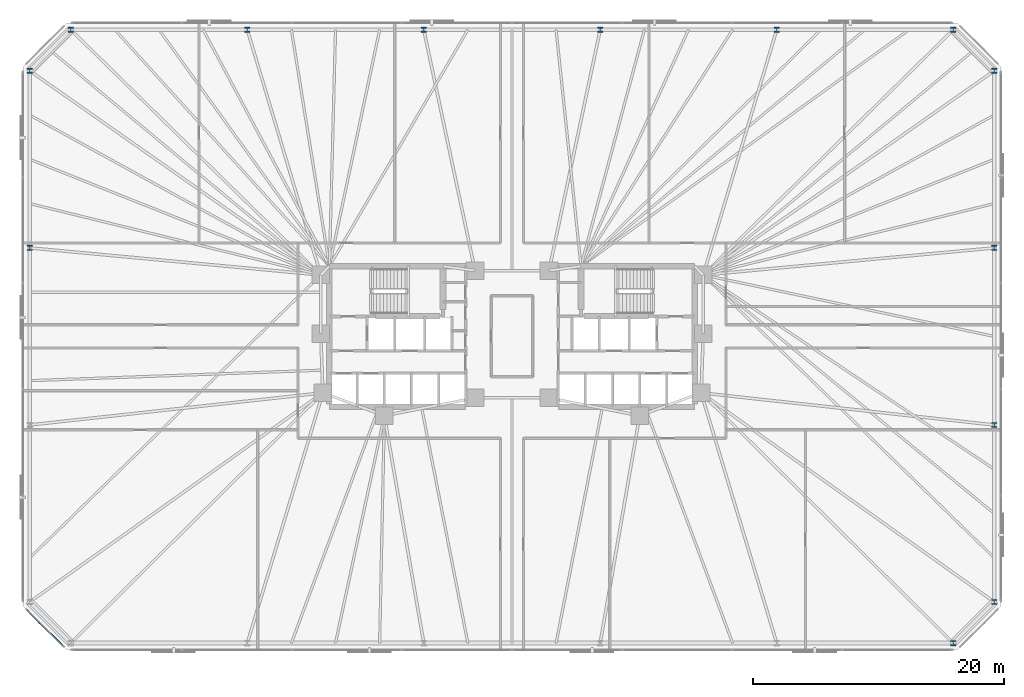
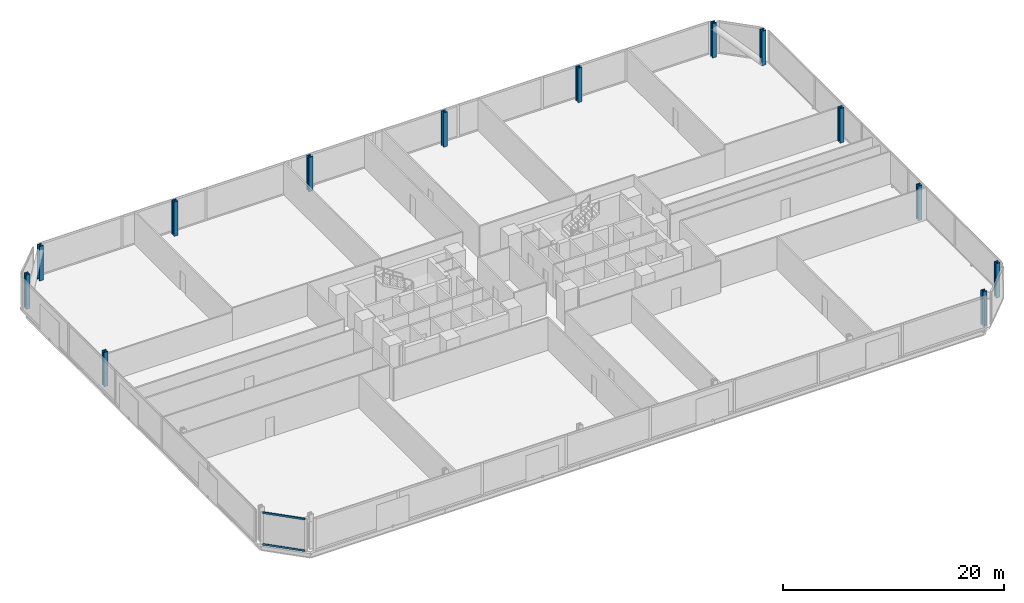
# One storey, part 5 of 17: 13 columns, 2 members, 1 element without a shape of its own.
"""IFC4 building model written with IfcOpenShell, lengths in metres."""

from ifc_helpers import new_model, si_unit, direction, frame, origin, origin_2d, place, context, subcontext, project, spatial, rectangle, i_section, extrude, material, material_profile, profile_set, type_object, element, aggregate, save


model = new_model("IFC4")

# Units and contexts
model_context = context("Model", 3, precision=1e-05, world=origin(), true_north=direction((0.0, 1.0)))
body_context = subcontext(model_context, "Body", "Model", "MODEL_VIEW")
ifc_project = project(units=[si_unit("LENGTHUNIT", "METRE"), si_unit("AREAUNIT", "SQUARE_METRE"), si_unit("VOLUMEUNIT", "CUBIC_METRE"), si_unit("PLANEANGLEUNIT", "RADIAN"), si_unit("MASSUNIT", "GRAM", prefix="KILO")], contexts=[model_context])

# Site, building, storey
site_placement = place(None, origin())
site = spatial("IfcSite", under=ifc_project, at=site_placement, CompositionType="ELEMENT")
building_placement = place(site_placement, origin())
building = spatial("IfcBuilding", under=site, at=building_placement, Name="Menara Jurai Vektor", CompositionType="ELEMENT")
storey_placement = place(building_placement, frame((0.0, 0.0, 21.800048828125)))
storey = spatial("IfcBuildingStorey", under=building, at=storey_placement, Name="L04", CompositionType="ELEMENT", Elevation=21.800048828125)

# Columns
ifc_material_1 = material(Name="Steel S460", Category="steel")
ifc_material_profile_1 = material_profile(ifc_material_1, i_section(OverallWidth=0.419921875, OverallDepth=0.430908203125, WebThickness=0.06494140625, FlangeThickness=0.10595703125, FilletRadius=0.014892578125, at=origin_2d()), Name="HD 400x900")
ifc_profile_set_1 = profile_set([ifc_material_profile_1], Name="Steel S460")
column_type = type_object("IfcColumnType", Name="STR-EXO-BLK1", PredefinedType="COLUMN", material=ifc_profile_set_1)
for number, where, z_axis, x_axis, name in (
    (1, (35.177734375, -24.449951171875, 0.0), (0.0, 0.0, 1.0), (1.0, 0.0, 0.0), "Exoskeleton Column BLK1-S6 L04"),
    (2, (38.449951171875, -21.177734375, 0.0), (0.0, 0.0, 1.0), (1.0, 0.0, 0.0), "Exoskeleton Column BLK1-E1 L04"),
    (3, (38.449951171875, -7.059326171875, 0.0), (0.0, 0.0, 1.0), (1.0, 0.0, 0.0), "Exoskeleton Column BLK1-E2 L04"),
    (4, (38.449951171875, 7.059326171875, 0.0), (0.0, 0.0, 1.0), (1.0, 0.0, 0.0), "Exoskeleton Column BLK1-E3 L04"),
    (5, (38.449951171875, 21.177734375, 0.0), (0.0, 0.0, 1.0), (1.0, 0.0, 0.0), "Exoskeleton Column BLK1-E4 L04"),
    (6, (35.177734375, 24.449951171875, 0.0), (0.0, 0.0, 1.0), (1.0, 0.0, 0.0), "Exoskeleton Column BLK1-N1 L04"),
    (7, (21.106689453125, 24.449951171875, 0.0), (0.0, 0.0, 1.0), (1.0, 0.0, 0.0), "Exoskeleton Column BLK1-N2 L04"),
    (8, (7.03564453125, 24.449951171875, 0.0), (0.0, 0.0, 1.0), (1.0, 0.0, 0.0), "Exoskeleton Column BLK1-N3 L04"),
    (9, (-7.03564453125, 24.449951171875, 0.0), (0.0, 0.0, 1.0), (1.0, 0.0, 0.0), "Exoskeleton Column BLK1-N4 L04"),
    (10, (-21.106689453125, 24.449951171875, 0.0), (0.0, 0.0, 1.0), (1.0, 0.0, 0.0), "Exoskeleton Column BLK1-N5 L04"),
    (11, (-35.177734375, 24.449951171875, 0.0), (0.0, 0.0, 1.0), (1.0, 0.0, 0.0), "Exoskeleton Column BLK1-N6 L04"),
    (12, (-38.449951171875, 21.177734375, 0.0), (0.0, 0.0, 1.0), (1.0, 0.0, 0.0), "Exoskeleton Column BLK1-W1 L04"),
    (13, (-38.449951171875, 7.059326171875, 0.0), (0.0, 0.0, 1.0), (1.0, 0.0, 0.0), "Exoskeleton Column BLK1-W2 L04"),
):
    element("IfcColumn", number, at=place(storey_placement, frame(where, z_axis=z_axis, x_axis=x_axis)), inside=storey, type_object=column_type, Name=name, PredefinedType="COLUMN", context=body_context, shape_type="SweptSolid", body=[
        extrude(i_section(OverallWidth=0.419921875, OverallDepth=0.430908203125, WebThickness=0.06494140625, FlangeThickness=0.10595703125, FilletRadius=0.014892578125, at=origin_2d()), origin(), (0.0, 0.0, 1.0), 3.800048828125),
    ])

# Curtain wall, members
ifc_material_2 = material(Name="Anodised Pale Aluminium & Low-E Double Glazing", Category="aluminium")
curtain_wall_type = type_object("IfcCurtainWallType", Name="CW-BLK1", PredefinedType="NOTDEFINED", material=ifc_material_2)
curtain_wall_placement = place(storey_placement, origin())
curtain_wall = element("IfcCurtainWall", 14, at=curtain_wall_placement, inside=storey, type_object=curtain_wall_type, Name="Unitised Curtain Wall L04 F08", PredefinedType="NOTDEFINED")
ifc_material_3 = material(Name="Anodised Pale Aluminium Transom", Category="aluminium")
ifc_material_profile_2 = material_profile(ifc_material_3, rectangle(XDim=0.094970703125, YDim=0.199951171875, at=origin_2d()), Name="ALU TRN 95x200")
ifc_profile_set_2 = profile_set([ifc_material_profile_2], Name="Anodised Pale Aluminium Transom")
member_type = type_object("IfcMemberType", Name="CW-BLK1-TRN", PredefinedType="USERDEFINED", material=ifc_profile_set_2)
member_1_placement = place(storey_placement, frame((-38.6640625, -21.8359375, 0.04736328125), z_axis=(0.707106781187, -0.707106781187, 0.0), x_axis=(0.707106781187, 0.707106781187, 0.0)))
member_1 = element("IfcMember", 15, at=member_1_placement, type_object=member_type, Name="CW-01 transom 1.1", ObjectType="TRANSOM", PredefinedType="USERDEFINED", context=body_context, shape_type="SweptSolid", body=[
    extrude(rectangle(XDim=0.094970703125, YDim=0.199951171875, at=origin_2d()), origin(), (0.0, 0.0, 1.0), 3.99951171875),
])
member_2_placement = place(storey_placement, frame((-38.6640625, -21.8359375, 3.52734375), z_axis=(0.707106781187, -0.707106781187, 0.0), x_axis=(0.707106781187, 0.707106781187, 0.0)))
member_2 = element("IfcMember", 16, at=member_2_placement, type_object=member_type, Name="CW-01 transom 1.2", ObjectType="TRANSOM", PredefinedType="USERDEFINED", context=body_context, shape_type="SweptSolid", body=[
    extrude(rectangle(XDim=0.094970703125, YDim=0.199951171875, at=origin_2d()), origin(), (0.0, 0.0, 1.0), 3.99951171875),
])
aggregate(curtain_wall, [member_1, member_2])

save(model, "model.ifc")
